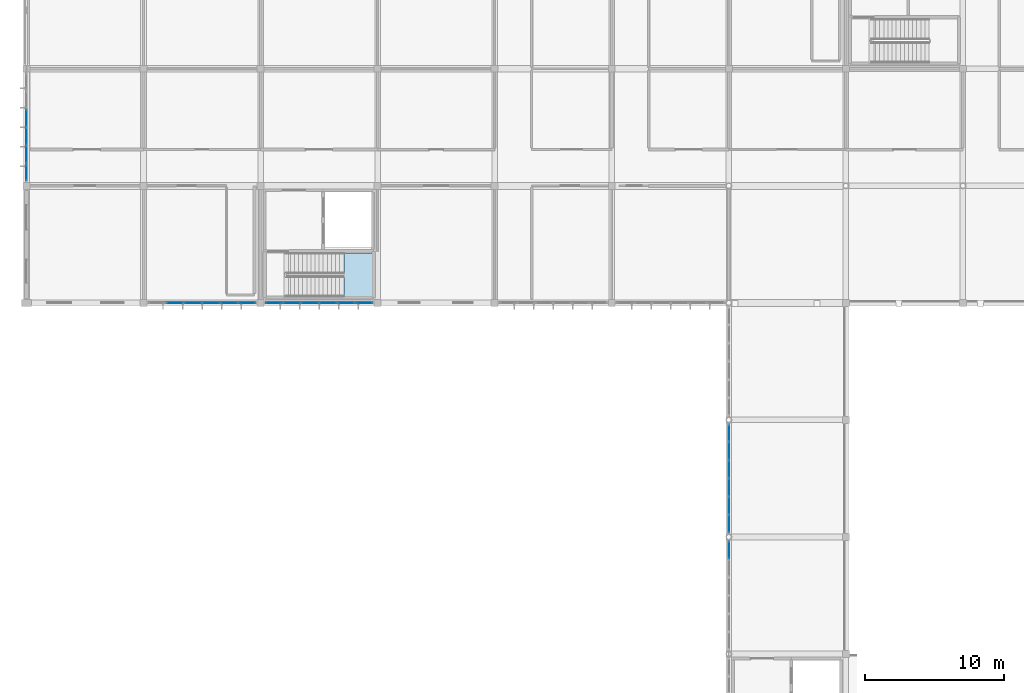
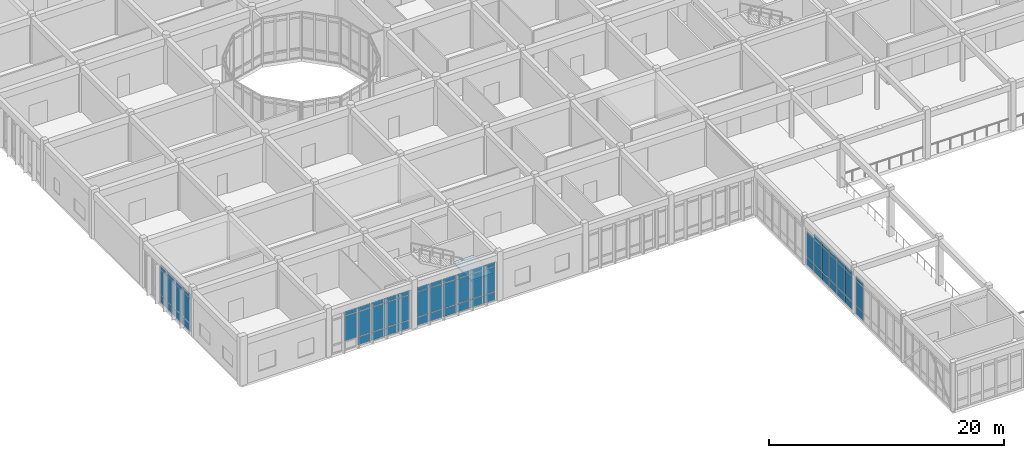
# One storey, part 67 of 134: 64 plates, 1 slab, 6 elements without a shape of their own.
"""IFC4 building model written with IfcOpenShell, lengths in metres."""

import ifcopenshell
import ifcopenshell.guid

model = None  # the IFC model being written
_history = None  # IfcOwnerHistory: only IFC2X3 demands one
_inside = {}  # id of a spatial element -> (the spatial element, [elements in it])
_under = {}  # id of a project, library or spatial element -> (it, [spatial elements below it])
_declared = {}  # id of a project -> (the project, [libraries it declares])
_typed = {}  # id of a type object -> (the type object, [elements of that type])
_made_of = {}  # id of a material, layer set ... -> (it, [elements and type objects made of it])


def new_model(schema):
    """Start an empty IFC model of exactly this schema.

    Asked for "IFC4X3", IfcOpenShell would pick the latest addendum, in which some entities
    have other attributes; the version numbers below select the first issue.
    IFC2X3 requires an IfcOwnerHistory on every rooted entity: one is made here for all.
    """
    global model, _history
    if schema == "IFC4X3":
        model = ifcopenshell.file(schema_version=(4, 3, 0, 0))
    else:
        model = ifcopenshell.file(schema=schema)
    _inside.clear()
    _under.clear()
    _declared.clear()
    _typed.clear()
    _made_of.clear()
    _history = None
    if model.schema == "IFC2X3":
        org = make("IfcOrganization", Name="unknown")
        user = make(
            "IfcPersonAndOrganization",
            ThePerson=make("IfcPerson", FamilyName="unknown"),
            TheOrganization=org,
        )
        app = make(
            "IfcApplication",
            ApplicationDeveloper=org,
            Version="unknown",
            ApplicationFullName="unknown",
            ApplicationIdentifier="unknown",
        )
        _history = make(
            "IfcOwnerHistory",
            OwningUser=user,
            OwningApplication=app,
            ChangeAction="ADDED",
            CreationDate=0,
        )
    return model


def make(cls, **values):
    """One entity of the class cls with the attributes given. An attribute that is None is left unset."""
    return model.create_entity(
        cls, **{name: value for name, value in values.items() if value is not None}
    )


def rooted(cls, **values):
    """An entity with a GlobalId (a new one), such as an element, a storey or a relation."""
    return make(cls, GlobalId=ifcopenshell.guid.new(), OwnerHistory=_history, **values)


def si_unit(unit_type, name, prefix=None):
    """IfcSIUnit, for example si_unit("LENGTHUNIT", "METRE", prefix="MILLI")."""
    return make("IfcSIUnit", UnitType=unit_type, Prefix=prefix, Name=name)


def assignment(units):
    """IfcUnitAssignment: the units of a project."""
    return None if units is None else make("IfcUnitAssignment", Units=units)


def point(xyz):
    """IfcCartesianPoint."""
    return None if xyz is None else make("IfcCartesianPoint", Coordinates=xyz)


def direction(xyz):
    """IfcDirection."""
    return None if xyz is None else make("IfcDirection", DirectionRatios=xyz)


def frame(location, z_axis=None, x_axis=None):
    """IfcAxis2Placement3D, a coordinate frame: its origin and axes. An axis left out is left unset."""
    return make(
        "IfcAxis2Placement3D",
        Location=point(location),
        Axis=direction(z_axis),
        RefDirection=direction(x_axis),
    )


def frame_2d(location, x_axis=None):
    """IfcAxis2Placement2D, a coordinate frame in the plane: its origin and x axis."""
    return make(
        "IfcAxis2Placement2D", Location=point(location), RefDirection=direction(x_axis)
    )


def origin():
    """The frame at (0, 0, 0) with its axes left unset."""
    return frame((0.0, 0.0, 0.0))


def origin_2d():
    """The frame at (0, 0) in the plane with its x axis left unset."""
    return frame_2d((0.0, 0.0))


def place(relative_to, where):
    """IfcLocalPlacement: puts the frame where relative to a parent placement (None: the world)."""
    return make(
        "IfcLocalPlacement", PlacementRelTo=relative_to, RelativePlacement=where
    )


def context(
    kind, dimensions, precision=None, world=None, true_north=None, identifier=None
):
    """IfcGeometricRepresentationContext, for example the 3D "Model" context."""
    return make(
        "IfcGeometricRepresentationContext",
        ContextIdentifier=identifier,
        ContextType=kind,
        CoordinateSpaceDimension=dimensions,
        Precision=precision,
        WorldCoordinateSystem=world,
        TrueNorth=true_north,
    )


def subcontext(parent, identifier, kind, view, scale=None):
    """IfcGeometricRepresentationSubContext, for example "Body" below "Model"."""
    return make(
        "IfcGeometricRepresentationSubContext",
        ContextIdentifier=identifier,
        ContextType=kind,
        ParentContext=parent,
        TargetScale=scale,
        TargetView=view,
    )


def project(units=None, contexts=None):
    """IfcProject with its units and contexts."""
    return rooted(
        "IfcProject",
        Name="project",
        RepresentationContexts=contexts,
        UnitsInContext=assignment(units),
    )


def spatial(cls, under=None, at=None, **own):
    """A site, building, storey or space (cls), placed at a placement, below another one or the project."""
    s = rooted(cls, ObjectPlacement=at, **own)
    if under is not None:
        _under.setdefault(under.id(), (under, []))[1].append(s)
    return s


def polyline(points):
    """IfcPolyline through the points."""
    return make("IfcPolyline", Points=[point(p) for p in points])


def profile(cls, at=None, kind="AREA", **sizes):
    """A parametric profile (cls). Its sizes go by their IFC names, for example OverallWidth=200.0."""
    return make(cls, ProfileType=kind, Position=at, **sizes)


def rectangle(**sizes):
    """IfcRectangleProfileDef."""
    return profile("IfcRectangleProfileDef", **sizes)


def outline(outer, holes=None, kind="AREA"):
    """IfcArbitraryClosedProfileDef: a profile drawn as a closed curve; with holes, ...WithVoids."""
    if holes is None:
        return make("IfcArbitraryClosedProfileDef", ProfileType=kind, OuterCurve=outer)
    return make(
        "IfcArbitraryProfileDefWithVoids",
        ProfileType=kind,
        OuterCurve=outer,
        InnerCurves=holes,
    )


def extrude(swept, where, along, depth):
    """IfcExtrudedAreaSolid: the profile swept, set in the frame where, extruded along a direction by depth."""
    return make(
        "IfcExtrudedAreaSolid",
        SweptArea=swept,
        Position=where,
        ExtrudedDirection=direction(along),
        Depth=depth,
    )


def shape(context_of_items, identifier, shape_type, items):
    """IfcShapeRepresentation: the items that make up one representation, for example the "Body"."""
    return make(
        "IfcShapeRepresentation",
        ContextOfItems=context_of_items,
        RepresentationIdentifier=identifier,
        RepresentationType=shape_type,
        Items=items,
    )


def material(Name=None, Category=None):
    """IfcMaterial."""
    return make("IfcMaterial", Name=Name, Category=Category)


def layer(
    of_material, thickness, ventilated=None, Name=None, Category=None, Priority=None
):
    """IfcMaterialLayer: one layer of a wall or slab, of a material (None: an air gap)."""
    return make(
        "IfcMaterialLayer",
        Material=of_material,
        LayerThickness=thickness,
        IsVentilated=ventilated,
        Name=Name,
        Category=Category,
        Priority=Priority,
    )


def layer_set(layers, Name=None):
    """IfcMaterialLayerSet."""
    return make("IfcMaterialLayerSet", MaterialLayers=layers, LayerSetName=Name)


def made_of(thing, what):
    """Note that an element or type object is made of a material, layer set ...; save() writes the relation."""
    if what is not None:
        _made_of.setdefault(what.id(), (what, []))[1].append(thing)
    return thing


def type_object(cls, material=None, **own):
    """A type object (cls), such as IfcWallType, which elements share."""
    return made_of(rooted(cls, **own), material)


def element(
    cls,
    number,
    at=None,
    inside=None,
    cuts=None,
    type_object=None,
    material=None,
    context=None,
    identifier="Body",
    shape_type=None,
    held_by="IfcProductDefinitionShape",
    body=None,
    shapes=None,
    **own,
):
    """One element of the class cls, such as IfcWall. Its Tag is "e" and its number.

    at: its placement. inside: the storey or other place that contains it. cuts: it is an
    opening in that element (IfcRelVoidsElement). A single representation is given by context,
    identifier, shape_type and body (its items); several are given by shapes. held_by: the class
    of the entity that holds the representations. save() writes the other relations.
    """
    e = rooted(cls, Tag="e%d" % number, ObjectPlacement=at, **own)
    if body is not None:
        shapes = [shape(context, identifier, shape_type, body)]
    if shapes is not None:
        e.Representation = make(held_by, Representations=shapes)
    if inside is not None:
        _inside.setdefault(inside.id(), (inside, []))[1].append(e)
    if cuts is not None:
        rooted(
            "IfcRelVoidsElement", RelatingBuildingElement=cuts, RelatedOpeningElement=e
        )
    if type_object is not None:
        _typed.setdefault(type_object.id(), (type_object, []))[1].append(e)
    return made_of(e, material)


def aggregate(whole, parts):
    """IfcRelAggregates: a whole, such as a stair, and the parts it consists of."""
    return rooted("IfcRelAggregates", RelatingObject=whole, RelatedObjects=parts)


def save(model, path):
    """Write the relations noted so far, then the file.

    IfcRelAggregates (storeys below a building ...), IfcRelContainedInSpatialStructure (elements
    in a storey), IfcRelDefinesByType, IfcRelAssociatesMaterial and IfcRelDeclares: one each for
    every whole, place, type object, material and project.
    """
    for whole, parts in _under.values():
        aggregate(whole, parts)
    for where, things in _inside.values():
        rooted(
            "IfcRelContainedInSpatialStructure",
            RelatedElements=things,
            RelatingStructure=where,
        )
    for kind, things in _typed.values():
        rooted("IfcRelDefinesByType", RelatedObjects=things, RelatingType=kind)
    for what, things in _made_of.values():
        rooted("IfcRelAssociatesMaterial", RelatedObjects=things, RelatingMaterial=what)
    for by, libraries in _declared.values():
        rooted("IfcRelDeclares", RelatingContext=by, RelatedDefinitions=libraries)
    model.write(path)


model = new_model("IFC4")

# Units and contexts
model_context = context("Model", 3, precision=1e-05, world=origin(), true_north=direction((0.0, 1.0)))
body_context = subcontext(model_context, "Body", "Model", "MODEL_VIEW")
ifc_project = project(units=[si_unit("LENGTHUNIT", "METRE"), si_unit("AREAUNIT", "SQUARE_METRE"), si_unit("VOLUMEUNIT", "CUBIC_METRE"), si_unit("PLANEANGLEUNIT", "RADIAN"), si_unit("MASSUNIT", "GRAM", prefix="KILO")], contexts=[model_context])

# Site, building, storey
site_placement = place(None, origin())
site = spatial("IfcSite", under=ifc_project, at=site_placement, CompositionType="ELEMENT")
building_placement = place(site_placement, origin())
building = spatial("IfcBuilding", under=site, at=building_placement, Name="Bramfleet General Hospital", CompositionType="ELEMENT")
storey_placement = place(building_placement, frame((0.0, 0.0, 9.300048828125)))
storey = spatial("IfcBuildingStorey", under=building, at=storey_placement, Name="L02", CompositionType="ELEMENT", Elevation=9.300048828125)

# Curtain wall, plates
ifc_material_1 = material(Name="Anodised aluminium and low-E triple glazing", Category="aluminium")
ifc_layer_1 = layer(ifc_material_1, 0.179931640625, Name="CWT-CW-15")
ifc_layer_set_1 = layer_set([ifc_layer_1], Name="Anodised aluminium and low-E triple glazing")
curtain_wall_type_1 = type_object("IfcCurtainWallType", Name="CWT-CW-15", PredefinedType="USERDEFINED", material=ifc_layer_set_1)
curtain_wall_1_placement = place(storey_placement, origin())
curtain_wall_1 = element("IfcCurtainWall", 1, at=curtain_wall_1_placement, inside=storey, type_object=curtain_wall_type_1, Name="L02 Curtain Wall 141", ObjectType="Stick curtain wall", PredefinedType="USERDEFINED")
ifc_material_2 = material(Name="Low-E laminated safety glass", Category="glass")
ifc_layer_2 = layer(ifc_material_2, 0.028076171875, Name="CWP-GLZ-1")
ifc_layer_set_2 = layer_set([ifc_layer_2], Name="Low-E laminated safety glass")
plate_type_1 = type_object("IfcPlateType", Name="CWP-GLZ-1", PredefinedType="CURTAIN_PANEL", material=ifc_layer_set_2)
plate_1_placement = place(storey_placement, frame((15.811767578125, 50.39990234375, 0.06494140625), z_axis=(0.0, 0.0, 1.0), x_axis=(-1.0, 0.0, 0.0)))
plate_1 = element("IfcPlate", 2, at=plate_1_placement, type_object=plate_type_1, Name="CW-15 panel 1.1", PredefinedType="CURTAIN_PANEL", context=body_context, shape_type="SweptSolid", body=[
    extrude(rectangle(XDim=1.186767578125, YDim=0.028076171875, at=origin_2d()), origin(), (0.0, 0.0, 1.0), 0.802490234375),
])
plate_2_placement = place(storey_placement, frame((15.811767578125, 50.39990234375, 0.9326171875), z_axis=(0.0, 0.0, 1.0), x_axis=(-1.0, 0.0, 0.0)))
plate_2 = element("IfcPlate", 3, at=plate_2_placement, type_object=plate_type_1, Name="CW-15 panel 1.2", PredefinedType="CURTAIN_PANEL", context=body_context, shape_type="SweptSolid", body=[
    extrude(rectangle(XDim=1.186767578125, YDim=0.028076171875, at=origin_2d()), origin(), (0.0, 0.0, 1.0), 2.554931640625),
])
plate_3_placement = place(storey_placement, frame((15.811767578125, 50.39990234375, 3.552734375), z_axis=(0.0, 0.0, 1.0), x_axis=(-1.0, 0.0, 0.0)))
plate_3 = element("IfcPlate", 4, at=plate_3_placement, type_object=plate_type_1, Name="CW-15 panel 1.3", PredefinedType="CURTAIN_PANEL", context=body_context, shape_type="SweptSolid", body=[
    extrude(rectangle(XDim=1.186767578125, YDim=0.028076171875, at=origin_2d()), origin(), (0.0, 0.0, 1.0), 0.452392578125),
])
plate_4_placement = place(storey_placement, frame((14.53759765625, 50.39990234375, 0.06494140625), z_axis=(0.0, 0.0, 1.0), x_axis=(-1.0, 0.0, 0.0)))
plate_4 = element("IfcPlate", 5, at=plate_4_placement, type_object=plate_type_1, Name="CW-15 panel 2.1", PredefinedType="CURTAIN_PANEL", context=body_context, shape_type="SweptSolid", body=[
    extrude(rectangle(XDim=1.2216796875, YDim=0.028076171875, at=origin_2d()), origin(), (0.0, 0.0, 1.0), 0.802490234375),
])
plate_5_placement = place(storey_placement, frame((14.53759765625, 50.39990234375, 0.9326171875), z_axis=(0.0, 0.0, 1.0), x_axis=(-1.0, 0.0, 0.0)))
plate_5 = element("IfcPlate", 6, at=plate_5_placement, type_object=plate_type_1, Name="CW-15 panel 2.2", PredefinedType="CURTAIN_PANEL", context=body_context, shape_type="SweptSolid", body=[
    extrude(rectangle(XDim=1.2216796875, YDim=0.028076171875, at=origin_2d()), origin(), (0.0, 0.0, 1.0), 2.554931640625),
])
plate_6_placement = place(storey_placement, frame((14.53759765625, 50.39990234375, 3.552734375), z_axis=(0.0, 0.0, 1.0), x_axis=(-1.0, 0.0, 0.0)))
plate_6 = element("IfcPlate", 7, at=plate_6_placement, type_object=plate_type_1, Name="CW-15 panel 2.3", PredefinedType="CURTAIN_PANEL", context=body_context, shape_type="SweptSolid", body=[
    extrude(rectangle(XDim=1.2216796875, YDim=0.028076171875, at=origin_2d()), origin(), (0.0, 0.0, 1.0), 0.452392578125),
])
plate_7_placement = place(storey_placement, frame((13.245849609375, 50.39990234375, 0.06494140625), z_axis=(0.0, 0.0, 1.0), x_axis=(-1.0, 0.0, 0.0)))
plate_7 = element("IfcPlate", 8, at=plate_7_placement, type_object=plate_type_1, Name="CW-15 panel 3.1", PredefinedType="CURTAIN_PANEL", context=body_context, shape_type="SweptSolid", body=[
    extrude(rectangle(XDim=1.2216796875, YDim=0.028076171875, at=origin_2d()), origin(), (0.0, 0.0, 1.0), 0.802490234375),
])
plate_8_placement = place(storey_placement, frame((13.245849609375, 50.39990234375, 0.9326171875), z_axis=(0.0, 0.0, 1.0), x_axis=(-1.0, 0.0, 0.0)))
plate_8 = element("IfcPlate", 9, at=plate_8_placement, type_object=plate_type_1, Name="CW-15 panel 3.2", PredefinedType="CURTAIN_PANEL", context=body_context, shape_type="SweptSolid", body=[
    extrude(rectangle(XDim=1.2216796875, YDim=0.028076171875, at=origin_2d()), origin(), (0.0, 0.0, 1.0), 2.554931640625),
])
plate_9_placement = place(storey_placement, frame((13.245849609375, 50.39990234375, 3.552734375), z_axis=(0.0, 0.0, 1.0), x_axis=(-1.0, 0.0, 0.0)))
plate_9 = element("IfcPlate", 10, at=plate_9_placement, type_object=plate_type_1, Name="CW-15 panel 3.3", PredefinedType="CURTAIN_PANEL", context=body_context, shape_type="SweptSolid", body=[
    extrude(rectangle(XDim=1.2216796875, YDim=0.028076171875, at=origin_2d()), origin(), (0.0, 0.0, 1.0), 0.452392578125),
])
plate_10_placement = place(storey_placement, frame((11.9541015625, 50.39990234375, 0.06494140625), z_axis=(0.0, 0.0, 1.0), x_axis=(-1.0, 0.0, 0.0)))
plate_10 = element("IfcPlate", 11, at=plate_10_placement, type_object=plate_type_1, Name="CW-15 panel 4.1", PredefinedType="CURTAIN_PANEL", context=body_context, shape_type="SweptSolid", body=[
    extrude(rectangle(XDim=1.2216796875, YDim=0.028076171875, at=origin_2d()), origin(), (0.0, 0.0, 1.0), 0.802490234375),
])
plate_11_placement = place(storey_placement, frame((11.9541015625, 50.39990234375, 0.9326171875), z_axis=(0.0, 0.0, 1.0), x_axis=(-1.0, 0.0, 0.0)))
plate_11 = element("IfcPlate", 12, at=plate_11_placement, type_object=plate_type_1, Name="CW-15 panel 4.2", PredefinedType="CURTAIN_PANEL", context=body_context, shape_type="SweptSolid", body=[
    extrude(rectangle(XDim=1.2216796875, YDim=0.028076171875, at=origin_2d()), origin(), (0.0, 0.0, 1.0), 2.554931640625),
])
plate_12_placement = place(storey_placement, frame((11.9541015625, 50.39990234375, 3.552734375), z_axis=(0.0, 0.0, 1.0), x_axis=(-1.0, 0.0, 0.0)))
plate_12 = element("IfcPlate", 13, at=plate_12_placement, type_object=plate_type_1, Name="CW-15 panel 4.3", PredefinedType="CURTAIN_PANEL", context=body_context, shape_type="SweptSolid", body=[
    extrude(rectangle(XDim=1.2216796875, YDim=0.028076171875, at=origin_2d()), origin(), (0.0, 0.0, 1.0), 0.452392578125),
])
plate_13_placement = place(storey_placement, frame((10.66259765625, 50.39990234375, 0.9326171875), z_axis=(0.0, 0.0, 1.0), x_axis=(-1.0, 0.0, 0.0)))
plate_13 = element("IfcPlate", 14, at=plate_13_placement, type_object=plate_type_1, Name="CW-15 panel 5.2", PredefinedType="CURTAIN_PANEL", context=body_context, shape_type="SweptSolid", body=[
    extrude(rectangle(XDim=1.2216796875, YDim=0.028076171875, at=origin_2d()), origin(), (0.0, 0.0, 1.0), 2.554931640625),
])
plate_14_placement = place(storey_placement, frame((10.66259765625, 50.39990234375, 3.552734375), z_axis=(0.0, 0.0, 1.0), x_axis=(-1.0, 0.0, 0.0)))
plate_14 = element("IfcPlate", 15, at=plate_14_placement, type_object=plate_type_1, Name="CW-15 panel 5.3", PredefinedType="CURTAIN_PANEL", context=body_context, shape_type="SweptSolid", body=[
    extrude(rectangle(XDim=1.2216796875, YDim=0.028076171875, at=origin_2d()), origin(), (0.0, 0.0, 1.0), 0.452392578125),
])
aggregate(curtain_wall_1, [plate_1, plate_2, plate_3, plate_4, plate_5, plate_6, plate_7, plate_8, plate_9, plate_10, plate_11, plate_12, plate_13, plate_14])

ifc_layer_3 = layer(ifc_material_1, 0.179931640625, Name="CWT-CW-04")
ifc_layer_set_3 = layer_set([ifc_layer_3], Name="Anodised aluminium and low-E triple glazing")
curtain_wall_type_2 = type_object("IfcCurtainWallType", Name="CWT-CW-04", PredefinedType="USERDEFINED", material=ifc_layer_set_3)
curtain_wall_2_placement = place(storey_placement, origin())
curtain_wall_2 = element("IfcCurtainWall", 16, at=curtain_wall_2_placement, inside=storey, type_object=curtain_wall_type_2, Name="L02 Curtain Wall 94", ObjectType="Unitised curtain wall", PredefinedType="USERDEFINED")
ifc_layer_4 = layer(ifc_material_2, 0.031982421875, Name="CWP-GLZ-2")
ifc_layer_set_4 = layer_set([ifc_layer_4], Name="Low-E laminated safety glass")
plate_type_2 = type_object("IfcPlateType", Name="CWP-GLZ-2", PredefinedType="CURTAIN_PANEL", material=ifc_layer_set_4)
plate_15_placement = place(storey_placement, frame((0.0, 59.788330078125, 0.06494140625), z_axis=(0.0, 0.0, 1.0), x_axis=(0.0, 1.0, 0.0)))
plate_15 = element("IfcPlate", 17, at=plate_15_placement, type_object=plate_type_2, Name="CW-04 panel 1.1", PredefinedType="CURTAIN_PANEL", context=body_context, shape_type="SweptSolid", body=[
    extrude(rectangle(XDim=1.186767578125, YDim=0.031982421875, at=origin_2d()), origin(), (0.0, 0.0, 1.0), 0.802490234375),
])
plate_16_placement = place(storey_placement, frame((0.0, 59.788330078125, 0.9326171875), z_axis=(0.0, 0.0, 1.0), x_axis=(0.0, 1.0, 0.0)))
plate_16 = element("IfcPlate", 18, at=plate_16_placement, type_object=plate_type_2, Name="CW-04 panel 1.2", PredefinedType="CURTAIN_PANEL", context=body_context, shape_type="SweptSolid", body=[
    extrude(rectangle(XDim=1.186767578125, YDim=0.031982421875, at=origin_2d()), origin(), (0.0, 0.0, 1.0), 2.554931640625),
])
plate_17_placement = place(storey_placement, frame((0.0, 59.788330078125, 3.552734375), z_axis=(0.0, 0.0, 1.0), x_axis=(0.0, 1.0, 0.0)))
plate_17 = element("IfcPlate", 19, at=plate_17_placement, type_object=plate_type_2, Name="CW-04 panel 1.3", PredefinedType="CURTAIN_PANEL", context=body_context, shape_type="SweptSolid", body=[
    extrude(rectangle(XDim=1.186767578125, YDim=0.031982421875, at=origin_2d()), origin(), (0.0, 0.0, 1.0), 0.452392578125),
])
plate_18_placement = place(storey_placement, frame((0.0, 61.0625, 0.06494140625), z_axis=(0.0, 0.0, 1.0), x_axis=(0.0, 1.0, 0.0)))
plate_18 = element("IfcPlate", 20, at=plate_18_placement, type_object=plate_type_2, Name="CW-04 panel 2.1", PredefinedType="CURTAIN_PANEL", context=body_context, shape_type="SweptSolid", body=[
    extrude(rectangle(XDim=1.2216796875, YDim=0.031982421875, at=origin_2d()), origin(), (0.0, 0.0, 1.0), 0.802490234375),
])
plate_19_placement = place(storey_placement, frame((0.0, 61.0625, 0.9326171875), z_axis=(0.0, 0.0, 1.0), x_axis=(0.0, 1.0, 0.0)))
plate_19 = element("IfcPlate", 21, at=plate_19_placement, type_object=plate_type_2, Name="CW-04 panel 2.2", PredefinedType="CURTAIN_PANEL", context=body_context, shape_type="SweptSolid", body=[
    extrude(rectangle(XDim=1.2216796875, YDim=0.031982421875, at=origin_2d()), origin(), (0.0, 0.0, 1.0), 2.554931640625),
])
plate_20_placement = place(storey_placement, frame((0.0, 61.0625, 3.552734375), z_axis=(0.0, 0.0, 1.0), x_axis=(0.0, 1.0, 0.0)))
plate_20 = element("IfcPlate", 22, at=plate_20_placement, type_object=plate_type_2, Name="CW-04 panel 2.3", PredefinedType="CURTAIN_PANEL", context=body_context, shape_type="SweptSolid", body=[
    extrude(rectangle(XDim=1.2216796875, YDim=0.031982421875, at=origin_2d()), origin(), (0.0, 0.0, 1.0), 0.452392578125),
])
plate_21_placement = place(storey_placement, frame((0.0, 62.354248046875, 0.06494140625), z_axis=(0.0, 0.0, 1.0), x_axis=(0.0, 1.0, 0.0)))
plate_21 = element("IfcPlate", 23, at=plate_21_placement, type_object=plate_type_2, Name="CW-04 panel 3.1", PredefinedType="CURTAIN_PANEL", context=body_context, shape_type="SweptSolid", body=[
    extrude(rectangle(XDim=1.2216796875, YDim=0.031982421875, at=origin_2d()), origin(), (0.0, 0.0, 1.0), 0.802490234375),
])
plate_22_placement = place(storey_placement, frame((0.0, 62.354248046875, 0.9326171875), z_axis=(0.0, 0.0, 1.0), x_axis=(0.0, 1.0, 0.0)))
plate_22 = element("IfcPlate", 24, at=plate_22_placement, type_object=plate_type_2, Name="CW-04 panel 3.2", PredefinedType="CURTAIN_PANEL", context=body_context, shape_type="SweptSolid", body=[
    extrude(rectangle(XDim=1.2216796875, YDim=0.031982421875, at=origin_2d()), origin(), (0.0, 0.0, 1.0), 2.554931640625),
])
plate_23_placement = place(storey_placement, frame((0.0, 62.354248046875, 3.552734375), z_axis=(0.0, 0.0, 1.0), x_axis=(0.0, 1.0, 0.0)))
plate_23 = element("IfcPlate", 25, at=plate_23_placement, type_object=plate_type_2, Name="CW-04 panel 3.3", PredefinedType="CURTAIN_PANEL", context=body_context, shape_type="SweptSolid", body=[
    extrude(rectangle(XDim=1.2216796875, YDim=0.031982421875, at=origin_2d()), origin(), (0.0, 0.0, 1.0), 0.452392578125),
])
plate_24_placement = place(storey_placement, frame((0.0, 63.645751953125, 0.06494140625), z_axis=(0.0, 0.0, 1.0), x_axis=(0.0, 1.0, 0.0)))
plate_24 = element("IfcPlate", 26, at=plate_24_placement, type_object=plate_type_2, Name="CW-04 panel 4.1", PredefinedType="CURTAIN_PANEL", context=body_context, shape_type="SweptSolid", body=[
    extrude(rectangle(XDim=1.2216796875, YDim=0.031982421875, at=origin_2d()), origin(), (0.0, 0.0, 1.0), 0.802490234375),
])
plate_25_placement = place(storey_placement, frame((0.0, 63.645751953125, 0.9326171875), z_axis=(0.0, 0.0, 1.0), x_axis=(0.0, 1.0, 0.0)))
plate_25 = element("IfcPlate", 27, at=plate_25_placement, type_object=plate_type_2, Name="CW-04 panel 4.2", PredefinedType="CURTAIN_PANEL", context=body_context, shape_type="SweptSolid", body=[
    extrude(rectangle(XDim=1.2216796875, YDim=0.031982421875, at=origin_2d()), origin(), (0.0, 0.0, 1.0), 2.554931640625),
])
plate_26_placement = place(storey_placement, frame((0.0, 63.645751953125, 3.552734375), z_axis=(0.0, 0.0, 1.0), x_axis=(0.0, 1.0, 0.0)))
plate_26 = element("IfcPlate", 28, at=plate_26_placement, type_object=plate_type_2, Name="CW-04 panel 4.3", PredefinedType="CURTAIN_PANEL", context=body_context, shape_type="SweptSolid", body=[
    extrude(rectangle(XDim=1.2216796875, YDim=0.031982421875, at=origin_2d()), origin(), (0.0, 0.0, 1.0), 0.452392578125),
])
aggregate(curtain_wall_2, [plate_15, plate_16, plate_17, plate_18, plate_19, plate_20, plate_21, plate_22, plate_23, plate_24, plate_25, plate_26])

ifc_layer_5 = layer(ifc_material_1, 0.179931640625, Name="CWT-CW-09")
ifc_layer_set_5 = layer_set([ifc_layer_5], Name="Anodised aluminium and low-E triple glazing")
curtain_wall_type_3 = type_object("IfcCurtainWallType", Name="CWT-CW-09", PredefinedType="USERDEFINED", material=ifc_layer_set_5)
curtain_wall_3_placement = place(storey_placement, origin())
curtain_wall_3 = element("IfcCurtainWall", 29, at=curtain_wall_3_placement, inside=storey, type_object=curtain_wall_type_3, Name="L02 Curtain Wall 135", ObjectType="Unitised curtain wall", PredefinedType="USERDEFINED")
ifc_layer_6 = layer(ifc_material_2, 0.035888671875, Name="CWP-GLZ-3")
ifc_layer_set_6 = layer_set([ifc_layer_6], Name="Low-E laminated safety glass")
plate_type_3 = type_object("IfcPlateType", Name="CWP-GLZ-3", PredefinedType="CURTAIN_PANEL", material=ifc_layer_set_6)
plate_27_placement = place(storey_placement, frame((50.39990234375, 32.649658203125, 0.06494140625), z_axis=(0.0, 0.0, 1.0), x_axis=(0.0, 1.0, 0.0)))
plate_27 = element("IfcPlate", 30, at=plate_27_placement, type_object=plate_type_3, Name="CW-09 panel 6.1", PredefinedType="CURTAIN_PANEL", context=body_context, shape_type="SweptSolid", body=[
    extrude(rectangle(XDim=1.19482421875, YDim=0.035888671875, at=origin_2d()), origin(), (0.0, 0.0, 1.0), 0.802490234375),
])
plate_28_placement = place(storey_placement, frame((50.39990234375, 32.649658203125, 0.9326171875), z_axis=(0.0, 0.0, 1.0), x_axis=(0.0, 1.0, 0.0)))
plate_28 = element("IfcPlate", 31, at=plate_28_placement, type_object=plate_type_3, Name="CW-09 panel 6.2", PredefinedType="CURTAIN_PANEL", context=body_context, shape_type="SweptSolid", body=[
    extrude(rectangle(XDim=1.19482421875, YDim=0.035888671875, at=origin_2d()), origin(), (0.0, 0.0, 1.0), 2.554931640625),
])
plate_29_placement = place(storey_placement, frame((50.39990234375, 32.649658203125, 3.552734375), z_axis=(0.0, 0.0, 1.0), x_axis=(0.0, 1.0, 0.0)))
plate_29 = element("IfcPlate", 32, at=plate_29_placement, type_object=plate_type_3, Name="CW-09 panel 6.3", PredefinedType="CURTAIN_PANEL", context=body_context, shape_type="SweptSolid", body=[
    extrude(rectangle(XDim=1.19482421875, YDim=0.035888671875, at=origin_2d()), origin(), (0.0, 0.0, 1.0), 0.452392578125),
])
aggregate(curtain_wall_3, [plate_27, plate_28, plate_29])

ifc_layer_7 = layer(ifc_material_1, 0.179931640625, Name="CWT-CW-10")
ifc_layer_set_7 = layer_set([ifc_layer_7], Name="Anodised aluminium and low-E triple glazing")
curtain_wall_type_4 = type_object("IfcCurtainWallType", Name="CWT-CW-10", PredefinedType="USERDEFINED", material=ifc_layer_set_7)
curtain_wall_4_placement = place(storey_placement, origin())
curtain_wall_4 = element("IfcCurtainWall", 33, at=curtain_wall_4_placement, inside=storey, type_object=curtain_wall_type_4, Name="L02 Curtain Wall 136", ObjectType="Stick curtain wall", PredefinedType="USERDEFINED")
ifc_layer_8 = layer(ifc_material_2, 0.0419921875, Name="CWP-GLZ-4")
ifc_layer_set_8 = layer_set([ifc_layer_8], Name="Low-E laminated safety glass")
plate_type_4 = type_object("IfcPlateType", Name="CWP-GLZ-4", PredefinedType="CURTAIN_PANEL", material=ifc_layer_set_8)
plate_30_placement = place(storey_placement, frame((50.39990234375, 34.550537109375, 0.06494140625), z_axis=(0.0, 0.0, 1.0), x_axis=(0.0, 1.0, 0.0)))
plate_30 = element("IfcPlate", 34, at=plate_30_placement, type_object=plate_type_4, Name="CW-10 panel 1.1", PredefinedType="CURTAIN_PANEL", context=body_context, shape_type="SweptSolid", body=[
    extrude(rectangle(XDim=1.19482421875, YDim=0.0419921875, at=origin_2d()), origin(), (0.0, 0.0, 1.0), 0.802490234375),
])
plate_31_placement = place(storey_placement, frame((50.39990234375, 34.550537109375, 0.9326171875), z_axis=(0.0, 0.0, 1.0), x_axis=(0.0, 1.0, 0.0)))
plate_31 = element("IfcPlate", 35, at=plate_31_placement, type_object=plate_type_4, Name="CW-10 panel 1.2", PredefinedType="CURTAIN_PANEL", context=body_context, shape_type="SweptSolid", body=[
    extrude(rectangle(XDim=1.19482421875, YDim=0.0419921875, at=origin_2d()), origin(), (0.0, 0.0, 1.0), 2.554931640625),
])
plate_32_placement = place(storey_placement, frame((50.39990234375, 34.550537109375, 3.552734375), z_axis=(0.0, 0.0, 1.0), x_axis=(0.0, 1.0, 0.0)))
plate_32 = element("IfcPlate", 36, at=plate_32_placement, type_object=plate_type_4, Name="CW-10 panel 1.3", PredefinedType="CURTAIN_PANEL", context=body_context, shape_type="SweptSolid", body=[
    extrude(rectangle(XDim=1.19482421875, YDim=0.0419921875, at=origin_2d()), origin(), (0.0, 0.0, 1.0), 0.452392578125),
])
plate_33_placement = place(storey_placement, frame((50.39990234375, 35.839111328125, 0.06494140625), z_axis=(0.0, 0.0, 1.0), x_axis=(0.0, 1.0, 0.0)))
plate_33 = element("IfcPlate", 37, at=plate_33_placement, type_object=plate_type_4, Name="CW-10 panel 2.1", PredefinedType="CURTAIN_PANEL", context=body_context, shape_type="SweptSolid", body=[
    extrude(rectangle(XDim=1.232421875, YDim=0.0419921875, at=origin_2d()), origin(), (0.0, 0.0, 1.0), 0.802490234375),
])
plate_34_placement = place(storey_placement, frame((50.39990234375, 35.839111328125, 0.9326171875), z_axis=(0.0, 0.0, 1.0), x_axis=(0.0, 1.0, 0.0)))
plate_34 = element("IfcPlate", 38, at=plate_34_placement, type_object=plate_type_4, Name="CW-10 panel 2.2", PredefinedType="CURTAIN_PANEL", context=body_context, shape_type="SweptSolid", body=[
    extrude(rectangle(XDim=1.232421875, YDim=0.0419921875, at=origin_2d()), origin(), (0.0, 0.0, 1.0), 2.554931640625),
])
plate_35_placement = place(storey_placement, frame((50.39990234375, 35.839111328125, 3.552734375), z_axis=(0.0, 0.0, 1.0), x_axis=(0.0, 1.0, 0.0)))
plate_35 = element("IfcPlate", 39, at=plate_35_placement, type_object=plate_type_4, Name="CW-10 panel 2.3", PredefinedType="CURTAIN_PANEL", context=body_context, shape_type="SweptSolid", body=[
    extrude(rectangle(XDim=1.232421875, YDim=0.0419921875, at=origin_2d()), origin(), (0.0, 0.0, 1.0), 0.452392578125),
])
plate_36_placement = place(storey_placement, frame((50.39990234375, 37.146240234375, 0.06494140625), z_axis=(0.0, 0.0, 1.0), x_axis=(0.0, 1.0, 0.0)))
plate_36 = element("IfcPlate", 40, at=plate_36_placement, type_object=plate_type_4, Name="CW-10 panel 3.1", PredefinedType="CURTAIN_PANEL", context=body_context, shape_type="SweptSolid", body=[
    extrude(rectangle(XDim=1.232421875, YDim=0.0419921875, at=origin_2d()), origin(), (0.0, 0.0, 1.0), 0.802490234375),
])
plate_37_placement = place(storey_placement, frame((50.39990234375, 37.146240234375, 0.9326171875), z_axis=(0.0, 0.0, 1.0), x_axis=(0.0, 1.0, 0.0)))
plate_37 = element("IfcPlate", 41, at=plate_37_placement, type_object=plate_type_4, Name="CW-10 panel 3.2", PredefinedType="CURTAIN_PANEL", context=body_context, shape_type="SweptSolid", body=[
    extrude(rectangle(XDim=1.232421875, YDim=0.0419921875, at=origin_2d()), origin(), (0.0, 0.0, 1.0), 2.554931640625),
])
plate_38_placement = place(storey_placement, frame((50.39990234375, 37.146240234375, 3.552734375), z_axis=(0.0, 0.0, 1.0), x_axis=(0.0, 1.0, 0.0)))
plate_38 = element("IfcPlate", 42, at=plate_38_placement, type_object=plate_type_4, Name="CW-10 panel 3.3", PredefinedType="CURTAIN_PANEL", context=body_context, shape_type="SweptSolid", body=[
    extrude(rectangle(XDim=1.232421875, YDim=0.0419921875, at=origin_2d()), origin(), (0.0, 0.0, 1.0), 0.452392578125),
])
plate_39_placement = place(storey_placement, frame((50.39990234375, 38.45361328125, 0.06494140625), z_axis=(0.0, 0.0, 1.0), x_axis=(0.0, 1.0, 0.0)))
plate_39 = element("IfcPlate", 43, at=plate_39_placement, type_object=plate_type_4, Name="CW-10 panel 4.1", PredefinedType="CURTAIN_PANEL", context=body_context, shape_type="SweptSolid", body=[
    extrude(rectangle(XDim=1.232421875, YDim=0.0419921875, at=origin_2d()), origin(), (0.0, 0.0, 1.0), 0.802490234375),
])
plate_40_placement = place(storey_placement, frame((50.39990234375, 38.45361328125, 0.9326171875), z_axis=(0.0, 0.0, 1.0), x_axis=(0.0, 1.0, 0.0)))
plate_40 = element("IfcPlate", 44, at=plate_40_placement, type_object=plate_type_4, Name="CW-10 panel 4.2", PredefinedType="CURTAIN_PANEL", context=body_context, shape_type="SweptSolid", body=[
    extrude(rectangle(XDim=1.232421875, YDim=0.0419921875, at=origin_2d()), origin(), (0.0, 0.0, 1.0), 2.554931640625),
])
plate_41_placement = place(storey_placement, frame((50.39990234375, 38.45361328125, 3.552734375), z_axis=(0.0, 0.0, 1.0), x_axis=(0.0, 1.0, 0.0)))
plate_41 = element("IfcPlate", 45, at=plate_41_placement, type_object=plate_type_4, Name="CW-10 panel 4.3", PredefinedType="CURTAIN_PANEL", context=body_context, shape_type="SweptSolid", body=[
    extrude(rectangle(XDim=1.232421875, YDim=0.0419921875, at=origin_2d()), origin(), (0.0, 0.0, 1.0), 0.452392578125),
])
plate_42_placement = place(storey_placement, frame((50.39990234375, 39.760986328125, 0.06494140625), z_axis=(0.0, 0.0, 1.0), x_axis=(0.0, 1.0, 0.0)))
plate_42 = element("IfcPlate", 46, at=plate_42_placement, type_object=plate_type_4, Name="CW-10 panel 5.1", PredefinedType="CURTAIN_PANEL", context=body_context, shape_type="SweptSolid", body=[
    extrude(rectangle(XDim=1.232421875, YDim=0.0419921875, at=origin_2d()), origin(), (0.0, 0.0, 1.0), 0.802490234375),
])
plate_43_placement = place(storey_placement, frame((50.39990234375, 39.760986328125, 0.9326171875), z_axis=(0.0, 0.0, 1.0), x_axis=(0.0, 1.0, 0.0)))
plate_43 = element("IfcPlate", 47, at=plate_43_placement, type_object=plate_type_4, Name="CW-10 panel 5.2", PredefinedType="CURTAIN_PANEL", context=body_context, shape_type="SweptSolid", body=[
    extrude(rectangle(XDim=1.232421875, YDim=0.0419921875, at=origin_2d()), origin(), (0.0, 0.0, 1.0), 2.554931640625),
])
plate_44_placement = place(storey_placement, frame((50.39990234375, 39.760986328125, 3.552734375), z_axis=(0.0, 0.0, 1.0), x_axis=(0.0, 1.0, 0.0)))
plate_44 = element("IfcPlate", 48, at=plate_44_placement, type_object=plate_type_4, Name="CW-10 panel 5.3", PredefinedType="CURTAIN_PANEL", context=body_context, shape_type="SweptSolid", body=[
    extrude(rectangle(XDim=1.232421875, YDim=0.0419921875, at=origin_2d()), origin(), (0.0, 0.0, 1.0), 0.452392578125),
])
plate_45_placement = place(storey_placement, frame((50.39990234375, 41.049560546875, 0.06494140625), z_axis=(0.0, 0.0, 1.0), x_axis=(0.0, 1.0, 0.0)))
plate_45 = element("IfcPlate", 49, at=plate_45_placement, type_object=plate_type_4, Name="CW-10 panel 6.1", PredefinedType="CURTAIN_PANEL", context=body_context, shape_type="SweptSolid", body=[
    extrude(rectangle(XDim=1.19482421875, YDim=0.0419921875, at=origin_2d()), origin(), (0.0, 0.0, 1.0), 0.802490234375),
])
plate_46_placement = place(storey_placement, frame((50.39990234375, 41.049560546875, 0.9326171875), z_axis=(0.0, 0.0, 1.0), x_axis=(0.0, 1.0, 0.0)))
plate_46 = element("IfcPlate", 50, at=plate_46_placement, type_object=plate_type_4, Name="CW-10 panel 6.2", PredefinedType="CURTAIN_PANEL", context=body_context, shape_type="SweptSolid", body=[
    extrude(rectangle(XDim=1.19482421875, YDim=0.0419921875, at=origin_2d()), origin(), (0.0, 0.0, 1.0), 2.554931640625),
])
aggregate(curtain_wall_4, [plate_30, plate_31, plate_32, plate_33, plate_34, plate_35, plate_36, plate_37, plate_38, plate_39, plate_40, plate_41, plate_42, plate_43, plate_44, plate_45, plate_46])

ifc_layer_9 = layer(ifc_material_1, 0.179931640625, Name="CWT-CW-14")
ifc_layer_set_9 = layer_set([ifc_layer_9], Name="Anodised aluminium and low-E triple glazing")
curtain_wall_type_5 = type_object("IfcCurtainWallType", Name="CWT-CW-14", PredefinedType="USERDEFINED", material=ifc_layer_set_9)
curtain_wall_5_placement = place(storey_placement, origin())
curtain_wall_5 = element("IfcCurtainWall", 51, at=curtain_wall_5_placement, inside=storey, type_object=curtain_wall_type_5, Name="L02 Curtain Wall 140", ObjectType="Stick curtain wall", PredefinedType="USERDEFINED")
plate_47_placement = place(storey_placement, frame((24.211669921875, 50.39990234375, 0.06494140625), z_axis=(0.0, 0.0, 1.0), x_axis=(-1.0, 0.0, 0.0)))
plate_47 = element("IfcPlate", 52, at=plate_47_placement, type_object=plate_type_4, Name="CW-14 panel 1.1", PredefinedType="CURTAIN_PANEL", context=body_context, shape_type="SweptSolid", body=[
    extrude(rectangle(XDim=1.186767578125, YDim=0.0419921875, at=origin_2d()), origin(), (0.0, 0.0, 1.0), 0.802490234375),
])
plate_48_placement = place(storey_placement, frame((24.211669921875, 50.39990234375, 0.9326171875), z_axis=(0.0, 0.0, 1.0), x_axis=(-1.0, 0.0, 0.0)))
plate_48 = element("IfcPlate", 53, at=plate_48_placement, type_object=plate_type_4, Name="CW-14 panel 1.2", PredefinedType="CURTAIN_PANEL", context=body_context, shape_type="SweptSolid", body=[
    extrude(rectangle(XDim=1.186767578125, YDim=0.0419921875, at=origin_2d()), origin(), (0.0, 0.0, 1.0), 2.554931640625),
])
plate_49_placement = place(storey_placement, frame((24.211669921875, 50.39990234375, 3.552734375), z_axis=(0.0, 0.0, 1.0), x_axis=(-1.0, 0.0, 0.0)))
plate_49 = element("IfcPlate", 54, at=plate_49_placement, type_object=plate_type_4, Name="CW-14 panel 1.3", PredefinedType="CURTAIN_PANEL", context=body_context, shape_type="SweptSolid", body=[
    extrude(rectangle(XDim=1.186767578125, YDim=0.0419921875, at=origin_2d()), origin(), (0.0, 0.0, 1.0), 0.452392578125),
])
plate_50_placement = place(storey_placement, frame((22.9375, 50.39990234375, 0.06494140625), z_axis=(0.0, 0.0, 1.0), x_axis=(-1.0, 0.0, 0.0)))
plate_50 = element("IfcPlate", 55, at=plate_50_placement, type_object=plate_type_4, Name="CW-14 panel 2.1", PredefinedType="CURTAIN_PANEL", context=body_context, shape_type="SweptSolid", body=[
    extrude(rectangle(XDim=1.2216796875, YDim=0.0419921875, at=origin_2d()), origin(), (0.0, 0.0, 1.0), 0.802490234375),
])
plate_51_placement = place(storey_placement, frame((22.9375, 50.39990234375, 0.9326171875), z_axis=(0.0, 0.0, 1.0), x_axis=(-1.0, 0.0, 0.0)))
plate_51 = element("IfcPlate", 56, at=plate_51_placement, type_object=plate_type_4, Name="CW-14 panel 2.2", PredefinedType="CURTAIN_PANEL", context=body_context, shape_type="SweptSolid", body=[
    extrude(rectangle(XDim=1.2216796875, YDim=0.0419921875, at=origin_2d()), origin(), (0.0, 0.0, 1.0), 2.554931640625),
])
plate_52_placement = place(storey_placement, frame((22.9375, 50.39990234375, 3.552734375), z_axis=(0.0, 0.0, 1.0), x_axis=(-1.0, 0.0, 0.0)))
plate_52 = element("IfcPlate", 57, at=plate_52_placement, type_object=plate_type_4, Name="CW-14 panel 2.3", PredefinedType="CURTAIN_PANEL", context=body_context, shape_type="SweptSolid", body=[
    extrude(rectangle(XDim=1.2216796875, YDim=0.0419921875, at=origin_2d()), origin(), (0.0, 0.0, 1.0), 0.452392578125),
])
plate_53_placement = place(storey_placement, frame((21.645751953125, 50.39990234375, 0.06494140625), z_axis=(0.0, 0.0, 1.0), x_axis=(-1.0, 0.0, 0.0)))
plate_53 = element("IfcPlate", 58, at=plate_53_placement, type_object=plate_type_4, Name="CW-14 panel 3.1", PredefinedType="CURTAIN_PANEL", context=body_context, shape_type="SweptSolid", body=[
    extrude(rectangle(XDim=1.2216796875, YDim=0.0419921875, at=origin_2d()), origin(), (0.0, 0.0, 1.0), 0.802490234375),
])
plate_54_placement = place(storey_placement, frame((21.645751953125, 50.39990234375, 0.9326171875), z_axis=(0.0, 0.0, 1.0), x_axis=(-1.0, 0.0, 0.0)))
plate_54 = element("IfcPlate", 59, at=plate_54_placement, type_object=plate_type_4, Name="CW-14 panel 3.2", PredefinedType="CURTAIN_PANEL", context=body_context, shape_type="SweptSolid", body=[
    extrude(rectangle(XDim=1.2216796875, YDim=0.0419921875, at=origin_2d()), origin(), (0.0, 0.0, 1.0), 2.554931640625),
])
plate_55_placement = place(storey_placement, frame((21.645751953125, 50.39990234375, 3.552734375), z_axis=(0.0, 0.0, 1.0), x_axis=(-1.0, 0.0, 0.0)))
plate_55 = element("IfcPlate", 60, at=plate_55_placement, type_object=plate_type_4, Name="CW-14 panel 3.3", PredefinedType="CURTAIN_PANEL", context=body_context, shape_type="SweptSolid", body=[
    extrude(rectangle(XDim=1.2216796875, YDim=0.0419921875, at=origin_2d()), origin(), (0.0, 0.0, 1.0), 0.452392578125),
])
plate_56_placement = place(storey_placement, frame((20.354248046875, 50.39990234375, 0.06494140625), z_axis=(0.0, 0.0, 1.0), x_axis=(-1.0, 0.0, 0.0)))
plate_56 = element("IfcPlate", 61, at=plate_56_placement, type_object=plate_type_4, Name="CW-14 panel 4.1", PredefinedType="CURTAIN_PANEL", context=body_context, shape_type="SweptSolid", body=[
    extrude(rectangle(XDim=1.2216796875, YDim=0.0419921875, at=origin_2d()), origin(), (0.0, 0.0, 1.0), 0.802490234375),
])
plate_57_placement = place(storey_placement, frame((20.354248046875, 50.39990234375, 0.9326171875), z_axis=(0.0, 0.0, 1.0), x_axis=(-1.0, 0.0, 0.0)))
plate_57 = element("IfcPlate", 62, at=plate_57_placement, type_object=plate_type_4, Name="CW-14 panel 4.2", PredefinedType="CURTAIN_PANEL", context=body_context, shape_type="SweptSolid", body=[
    extrude(rectangle(XDim=1.2216796875, YDim=0.0419921875, at=origin_2d()), origin(), (0.0, 0.0, 1.0), 2.554931640625),
])
plate_58_placement = place(storey_placement, frame((20.354248046875, 50.39990234375, 3.552734375), z_axis=(0.0, 0.0, 1.0), x_axis=(-1.0, 0.0, 0.0)))
plate_58 = element("IfcPlate", 63, at=plate_58_placement, type_object=plate_type_4, Name="CW-14 panel 4.3", PredefinedType="CURTAIN_PANEL", context=body_context, shape_type="SweptSolid", body=[
    extrude(rectangle(XDim=1.2216796875, YDim=0.0419921875, at=origin_2d()), origin(), (0.0, 0.0, 1.0), 0.452392578125),
])
plate_59_placement = place(storey_placement, frame((19.0625, 50.39990234375, 0.06494140625), z_axis=(0.0, 0.0, 1.0), x_axis=(-1.0, 0.0, 0.0)))
plate_59 = element("IfcPlate", 64, at=plate_59_placement, type_object=plate_type_4, Name="CW-14 panel 5.1", PredefinedType="CURTAIN_PANEL", context=body_context, shape_type="SweptSolid", body=[
    extrude(rectangle(XDim=1.2216796875, YDim=0.0419921875, at=origin_2d()), origin(), (0.0, 0.0, 1.0), 0.802490234375),
])
plate_60_placement = place(storey_placement, frame((19.0625, 50.39990234375, 0.9326171875), z_axis=(0.0, 0.0, 1.0), x_axis=(-1.0, 0.0, 0.0)))
plate_60 = element("IfcPlate", 65, at=plate_60_placement, type_object=plate_type_4, Name="CW-14 panel 5.2", PredefinedType="CURTAIN_PANEL", context=body_context, shape_type="SweptSolid", body=[
    extrude(rectangle(XDim=1.2216796875, YDim=0.0419921875, at=origin_2d()), origin(), (0.0, 0.0, 1.0), 2.554931640625),
])
plate_61_placement = place(storey_placement, frame((19.0625, 50.39990234375, 3.552734375), z_axis=(0.0, 0.0, 1.0), x_axis=(-1.0, 0.0, 0.0)))
plate_61 = element("IfcPlate", 66, at=plate_61_placement, type_object=plate_type_4, Name="CW-14 panel 5.3", PredefinedType="CURTAIN_PANEL", context=body_context, shape_type="SweptSolid", body=[
    extrude(rectangle(XDim=1.2216796875, YDim=0.0419921875, at=origin_2d()), origin(), (0.0, 0.0, 1.0), 0.452392578125),
])
plate_62_placement = place(storey_placement, frame((17.788330078125, 50.39990234375, 0.06494140625), z_axis=(0.0, 0.0, 1.0), x_axis=(-1.0, 0.0, 0.0)))
plate_62 = element("IfcPlate", 67, at=plate_62_placement, type_object=plate_type_4, Name="CW-14 panel 6.1", PredefinedType="CURTAIN_PANEL", context=body_context, shape_type="SweptSolid", body=[
    extrude(rectangle(XDim=1.186767578125, YDim=0.0419921875, at=origin_2d()), origin(), (0.0, 0.0, 1.0), 0.802490234375),
])
plate_63_placement = place(storey_placement, frame((17.788330078125, 50.39990234375, 0.9326171875), z_axis=(0.0, 0.0, 1.0), x_axis=(-1.0, 0.0, 0.0)))
plate_63 = element("IfcPlate", 68, at=plate_63_placement, type_object=plate_type_4, Name="CW-14 panel 6.2", PredefinedType="CURTAIN_PANEL", context=body_context, shape_type="SweptSolid", body=[
    extrude(rectangle(XDim=1.186767578125, YDim=0.0419921875, at=origin_2d()), origin(), (0.0, 0.0, 1.0), 2.554931640625),
])
plate_64_placement = place(storey_placement, frame((17.788330078125, 50.39990234375, 3.552734375), z_axis=(0.0, 0.0, 1.0), x_axis=(-1.0, 0.0, 0.0)))
plate_64 = element("IfcPlate", 69, at=plate_64_placement, type_object=plate_type_4, Name="CW-14 panel 6.3", PredefinedType="CURTAIN_PANEL", context=body_context, shape_type="SweptSolid", body=[
    extrude(rectangle(XDim=1.186767578125, YDim=0.0419921875, at=origin_2d()), origin(), (0.0, 0.0, 1.0), 0.452392578125),
])
aggregate(curtain_wall_5, [plate_47, plate_48, plate_49, plate_50, plate_51, plate_52, plate_53, plate_54, plate_55, plate_56, plate_57, plate_58, plate_59, plate_60, plate_61, plate_62, plate_63, plate_64])

# Stair, slab
ifc_material_3 = material(Name="Concrete C35/45", Category="concrete")
stair_type = type_object("IfcStairType", Name="STR-T1", PredefinedType="HALF_TURN_STAIR", material=ifc_material_3)
stair_placement = place(storey_placement, origin())
stair = element("IfcStair", 70, at=stair_placement, inside=storey, type_object=stair_type, Name="L02 Core C2 (Emergency & Surgical) Protected Escape Stair", PredefinedType="HALF_TURN_STAIR")
ifc_layer_10 = layer(ifc_material_3, 0.199951171875, Name="SL-LND-200")
ifc_layer_set_10 = layer_set([ifc_layer_10], Name="Concrete C35/45")
slab_type = type_object("IfcSlabType", Name="SL-LND-200", PredefinedType="LANDING", material=ifc_layer_set_10)
slab_placement = place(storey_placement, frame((0.0, 0.0, 2.349853515625)))
slab = element("IfcSlab", 71, at=slab_placement, type_object=slab_type, Name="ST-C2 landing 1", PredefinedType="LANDING", context=body_context, shape_type="SweptSolid", body=[
    extrude(outline(polyline([(22.77001953125, 50.820068359375), (24.860107421875, 50.820068359375), (24.860107421875, 53.97998046875), (22.77001953125, 53.97998046875), (22.77001953125, 50.820068359375)])), origin(), (0.0, 0.0, 1.0), 0.2001953125),
])
aggregate(stair, [slab])

save(model, "model.ifc")
